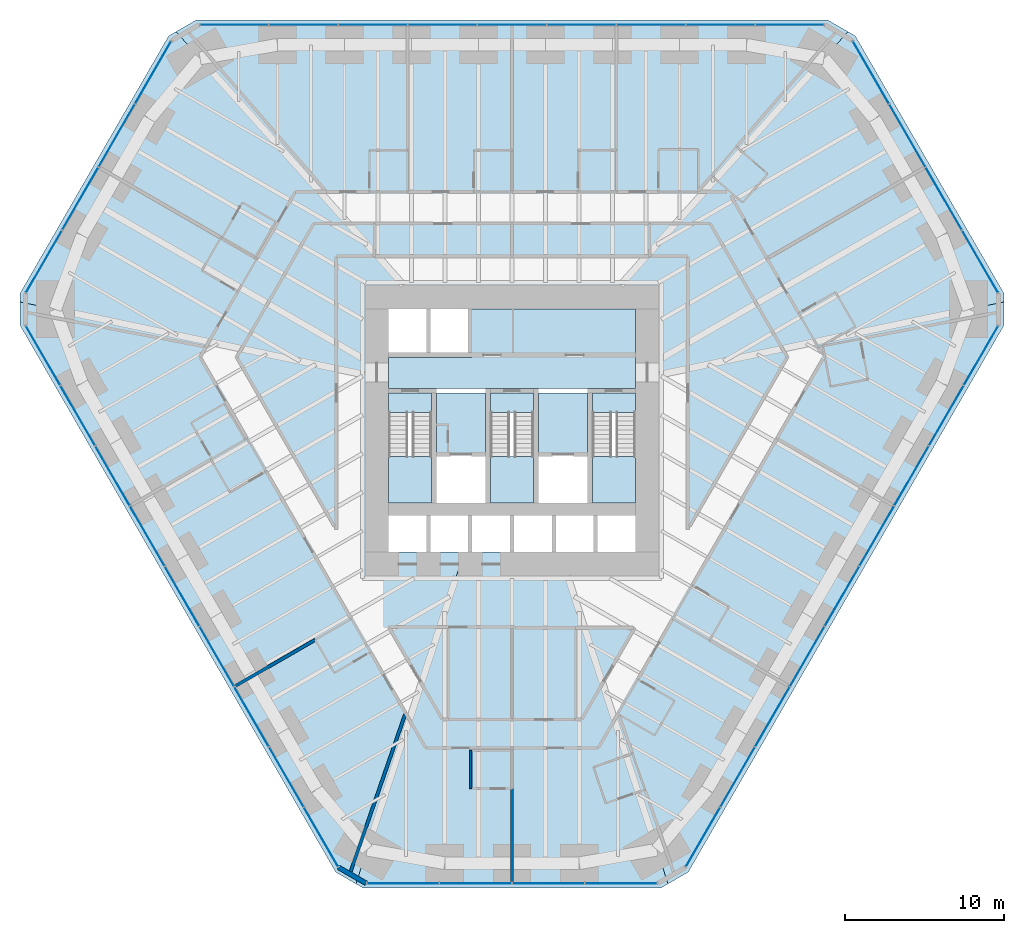
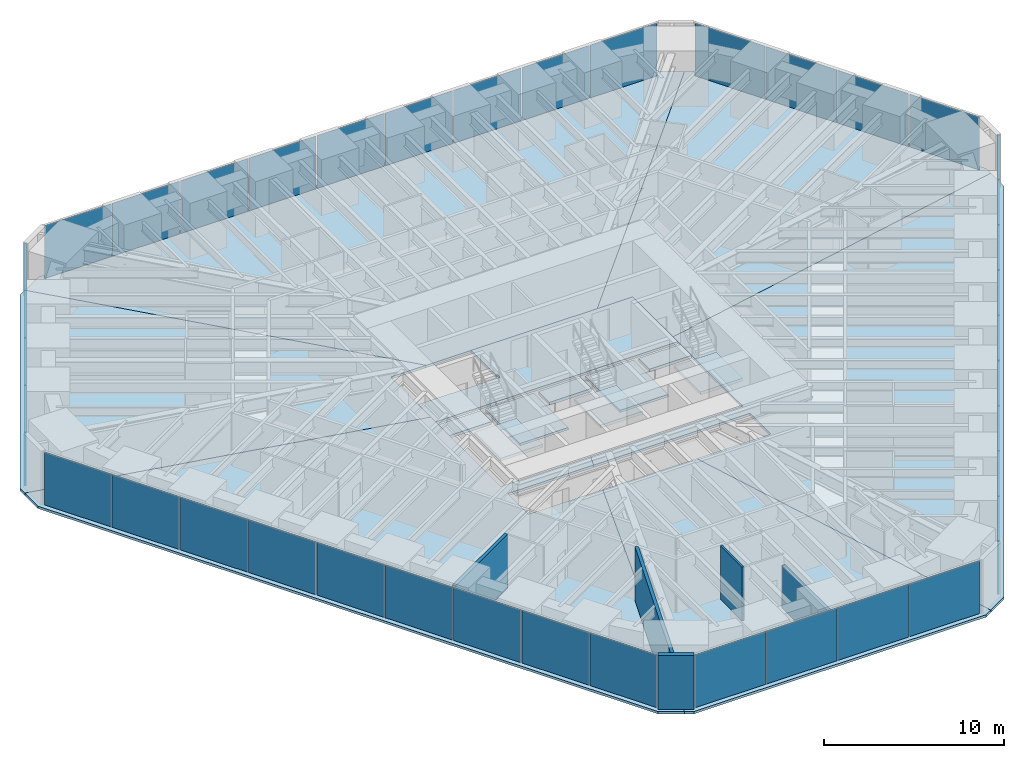
# One storey, part 10 of 17: 39 plates, 15 slabs, 5 walls, 9 elements without a shape of their own.
"""IFC4 building model written with IfcOpenShell, lengths in metres."""

from ifc_helpers import new_model, si_unit, direction, frame, frame_2d, origin, origin_2d, place, context, subcontext, project, spatial, polyline, rectangle, outline, extrude, material, layer, layer_set, type_object, element, aggregate, save


model = new_model("IFC4")

# Units and contexts
model_context = context("Model", 3, precision=1e-05, world=origin(), true_north=direction((0.0, 1.0)))
body_context = subcontext(model_context, "Body", "Model", "MODEL_VIEW")
ifc_project = project(units=[si_unit("LENGTHUNIT", "METRE"), si_unit("AREAUNIT", "SQUARE_METRE"), si_unit("VOLUMEUNIT", "CUBIC_METRE"), si_unit("PLANEANGLEUNIT", "RADIAN"), si_unit("MASSUNIT", "GRAM", prefix="KILO")], contexts=[model_context])

# Site, building, storey
site_placement = place(None, origin())
site = spatial("IfcSite", under=ifc_project, at=site_placement, CompositionType="ELEMENT")
building_placement = place(site_placement, origin())
building = spatial("IfcBuilding", under=site, at=building_placement, Name="Sandreach Pilgrim Tower", CompositionType="ELEMENT")
storey_placement = place(building_placement, frame((0.0, 0.0, 42.0)))
storey = spatial("IfcBuildingStorey", under=building, at=storey_placement, Name="L09", CompositionType="ELEMENT", Elevation=42.0)

# Curtain wall, plates
ifc_material_1 = material(Name="Aluminium framed curtain wall", Category="aluminium")
curtain_wall_type = type_object("IfcCurtainWallType", Name="Hostel tower curtain wall", PredefinedType="NOTDEFINED", material=ifc_material_1)
curtain_wall_1_placement = place(storey_placement, origin())
curtain_wall_1 = element("IfcCurtainWall", 1, at=curtain_wall_1_placement, inside=storey, type_object=curtain_wall_type, Name="CW-1 L09 N", PredefinedType="NOTDEFINED")
ifc_material_2 = material(Name="Insulating glass unit 6 heat-strengthened + 12 argon + 6 heat-strengthened", Category="glass")
ifc_layer_1 = layer(ifc_material_2, 0.02392578125)
ifc_layer_set_1 = layer_set([ifc_layer_1], Name="CW-1 panel")
plate_type = type_object("IfcPlateType", Name="CW-1 panel", PredefinedType="CURTAIN_PANEL", material=ifc_layer_set_1)
plate_1_placement = place(storey_placement, frame((-17.469970703125, 23.94873046875, 0.0), z_axis=(0.0, 0.0, 1.0), x_axis=(1.0, 0.0, 0.0)))
plate_1 = element("IfcPlate", 2, at=plate_1_placement, type_object=plate_type, Name="CW-1 panel 1", PredefinedType="CURTAIN_PANEL", context=body_context, shape_type="SweptSolid", body=[
    extrude(rectangle(XDim=4.274169921875, YDim=0.02392578125, at=origin_2d()), origin(), (0.0, 0.0, 1.0), 3.570068359375),
])
plate_2_placement = place(storey_placement, frame((-13.11474609375, 23.94873046875, 0.0), z_axis=(0.0, 0.0, 1.0), x_axis=(1.0, 0.0, 0.0)))
plate_2 = element("IfcPlate", 3, at=plate_2_placement, type_object=plate_type, Name="CW-1 panel 2", PredefinedType="CURTAIN_PANEL", context=body_context, shape_type="SweptSolid", body=[
    extrude(rectangle(XDim=4.306640625, YDim=0.02392578125, at=origin_2d()), origin(), (0.0, 0.0, 1.0), 3.570068359375),
])
plate_3_placement = place(storey_placement, frame((-8.7431640625, 23.94873046875, 0.0), z_axis=(0.0, 0.0, 1.0), x_axis=(1.0, 0.0, 0.0)))
plate_3 = element("IfcPlate", 4, at=plate_3_placement, type_object=plate_type, Name="CW-1 panel 3", PredefinedType="CURTAIN_PANEL", context=body_context, shape_type="SweptSolid", body=[
    extrude(rectangle(XDim=4.306640625, YDim=0.02392578125, at=origin_2d()), origin(), (0.0, 0.0, 1.0), 3.570068359375),
])
plate_4_placement = place(storey_placement, frame((-4.37158203125, 23.94873046875, 0.0), z_axis=(0.0, 0.0, 1.0), x_axis=(1.0, 0.0, 0.0)))
plate_4 = element("IfcPlate", 5, at=plate_4_placement, type_object=plate_type, Name="CW-1 panel 4", PredefinedType="CURTAIN_PANEL", context=body_context, shape_type="SweptSolid", body=[
    extrude(rectangle(XDim=4.306640625, YDim=0.02392578125, at=origin_2d()), origin(), (0.0, 0.0, 1.0), 3.570068359375),
])
plate_5_placement = place(storey_placement, frame((0.0, 23.94873046875, 0.0), z_axis=(0.0, 0.0, 1.0), x_axis=(1.0, 0.0, 0.0)))
plate_5 = element("IfcPlate", 6, at=plate_5_placement, type_object=plate_type, Name="CW-1 panel 5", PredefinedType="CURTAIN_PANEL", context=body_context, shape_type="SweptSolid", body=[
    extrude(rectangle(XDim=4.306640625, YDim=0.02392578125, at=origin_2d()), origin(), (0.0, 0.0, 1.0), 3.570068359375),
])
plate_6_placement = place(storey_placement, frame((4.37158203125, 23.94873046875, 0.0), z_axis=(0.0, 0.0, 1.0), x_axis=(1.0, 0.0, 0.0)))
plate_6 = element("IfcPlate", 7, at=plate_6_placement, type_object=plate_type, Name="CW-1 panel 6", PredefinedType="CURTAIN_PANEL", context=body_context, shape_type="SweptSolid", body=[
    extrude(rectangle(XDim=4.306640625, YDim=0.02392578125, at=origin_2d()), origin(), (0.0, 0.0, 1.0), 3.570068359375),
])
plate_7_placement = place(storey_placement, frame((8.7431640625, 23.94873046875, 0.0), z_axis=(0.0, 0.0, 1.0), x_axis=(1.0, 0.0, 0.0)))
plate_7 = element("IfcPlate", 8, at=plate_7_placement, type_object=plate_type, Name="CW-1 panel 7", PredefinedType="CURTAIN_PANEL", context=body_context, shape_type="SweptSolid", body=[
    extrude(rectangle(XDim=4.306640625, YDim=0.02392578125, at=origin_2d()), origin(), (0.0, 0.0, 1.0), 3.570068359375),
])
plate_8_placement = place(storey_placement, frame((13.11474609375, 23.94873046875, 0.0), z_axis=(0.0, 0.0, 1.0), x_axis=(1.0, 0.0, 0.0)))
plate_8 = element("IfcPlate", 9, at=plate_8_placement, type_object=plate_type, Name="CW-1 panel 8", PredefinedType="CURTAIN_PANEL", context=body_context, shape_type="SweptSolid", body=[
    extrude(rectangle(XDim=4.306640625, YDim=0.02392578125, at=origin_2d()), origin(), (0.0, 0.0, 1.0), 3.570068359375),
])
plate_9_placement = place(storey_placement, frame((17.469970703125, 23.94873046875, 0.0), z_axis=(0.0, 0.0, 1.0), x_axis=(1.0, 0.0, 0.0)))
plate_9 = element("IfcPlate", 10, at=plate_9_placement, type_object=plate_type, Name="CW-1 panel 9", PredefinedType="CURTAIN_PANEL", context=body_context, shape_type="SweptSolid", body=[
    extrude(rectangle(XDim=4.274169921875, YDim=0.02392578125, at=origin_2d()), origin(), (0.0, 0.0, 1.0), 3.570068359375),
])
aggregate(curtain_wall_1, [plate_1, plate_2, plate_3, plate_4, plate_5, plate_6, plate_7, plate_8, plate_9])

curtain_wall_2_placement = place(storey_placement, origin())
curtain_wall_2 = element("IfcCurtainWall", 11, at=curtain_wall_2_placement, inside=storey, type_object=curtain_wall_type, Name="CW-1 L09 NE", PredefinedType="NOTDEFINED")
plate_10_placement = place(storey_placement, frame((22.558837890625, 20.94873046875, 0.0), z_axis=(0.0, 0.0, 1.0), x_axis=(0.5, -0.866025403784, 0.0)))
plate_10 = element("IfcPlate", 12, at=plate_10_placement, type_object=plate_type, Name="CW-1 panel 1", PredefinedType="CURTAIN_PANEL", context=body_context, shape_type="SweptSolid", body=[
    extrude(rectangle(XDim=4.488525390625, YDim=0.02392578125, at=origin_2d()), origin(), (0.0, 0.0, 1.0), 3.570068359375),
])
plate_11_placement = place(storey_placement, frame((24.84375, 16.9912109375, 0.0), z_axis=(0.0, 0.0, 1.0), x_axis=(0.5, -0.866025403784, 0.0)))
plate_11 = element("IfcPlate", 13, at=plate_11_placement, type_object=plate_type, Name="CW-1 panel 2", PredefinedType="CURTAIN_PANEL", context=body_context, shape_type="SweptSolid", body=[
    extrude(rectangle(XDim=4.52099609375, YDim=0.02392578125, at=origin_2d()), origin(), (0.0, 0.0, 1.0), 3.570068359375),
])
plate_12_placement = place(storey_placement, frame((27.13671875, 13.01953125, 0.0), z_axis=(0.0, 0.0, 1.0), x_axis=(0.5, -0.866025403784, 0.0)))
plate_12 = element("IfcPlate", 14, at=plate_12_placement, type_object=plate_type, Name="CW-1 panel 3", PredefinedType="CURTAIN_PANEL", context=body_context, shape_type="SweptSolid", body=[
    extrude(rectangle(XDim=4.52099609375, YDim=0.02392578125, at=origin_2d()), origin(), (0.0, 0.0, 1.0), 3.570068359375),
])
plate_13_placement = place(storey_placement, frame((29.421630859375, 9.06201171875, 0.0), z_axis=(0.0, 0.0, 1.0), x_axis=(0.5, -0.866025403784, 0.0)))
plate_13 = element("IfcPlate", 15, at=plate_13_placement, type_object=plate_type, Name="CW-1 panel 4", PredefinedType="CURTAIN_PANEL", context=body_context, shape_type="SweptSolid", body=[
    extrude(rectangle(XDim=4.488525390625, YDim=0.02392578125, at=origin_2d()), origin(), (0.0, 0.0, 1.0), 3.570068359375),
])
aggregate(curtain_wall_2, [plate_10, plate_11, plate_12, plate_13])

curtain_wall_3_placement = place(storey_placement, origin())
curtain_wall_3 = element("IfcCurtainWall", 16, at=curtain_wall_3_placement, inside=storey, type_object=curtain_wall_type, Name="CW-1 L09 SE", PredefinedType="NOTDEFINED")
plate_14_placement = place(storey_placement, frame((29.475341796875, 3.1552734375, 0.0), z_axis=(0.0, 0.0, 1.0), x_axis=(-0.5, -0.866025403784, 0.0)))
plate_14 = element("IfcPlate", 17, at=plate_14_placement, type_object=plate_type, Name="CW-1 panel 1", PredefinedType="CURTAIN_PANEL", context=body_context, shape_type="SweptSolid", body=[
    extrude(rectangle(XDim=4.274169921875, YDim=0.02392578125, at=origin_2d()), origin(), (0.0, 0.0, 1.0), 3.570068359375),
])
plate_15_placement = place(storey_placement, frame((27.297607421875, -0.61669921875, 0.0), z_axis=(0.0, 0.0, 1.0), x_axis=(-0.5, -0.866025403784, 0.0)))
plate_15 = element("IfcPlate", 18, at=plate_15_placement, type_object=plate_type, Name="CW-1 panel 2", PredefinedType="CURTAIN_PANEL", context=body_context, shape_type="SweptSolid", body=[
    extrude(rectangle(XDim=4.306640625, YDim=0.02392578125, at=origin_2d()), origin(), (0.0, 0.0, 1.0), 3.570068359375),
])
plate_16_placement = place(storey_placement, frame((25.11181640625, -4.402587890625, 0.0), z_axis=(0.0, 0.0, 1.0), x_axis=(-0.5, -0.866025403784, 0.0)))
plate_16 = element("IfcPlate", 19, at=plate_16_placement, type_object=plate_type, Name="CW-1 panel 3", PredefinedType="CURTAIN_PANEL", context=body_context, shape_type="SweptSolid", body=[
    extrude(rectangle(XDim=4.306640625, YDim=0.02392578125, at=origin_2d()), origin(), (0.0, 0.0, 1.0), 3.570068359375),
])
plate_17_placement = place(storey_placement, frame((22.926025390625, -8.1884765625, 0.0), z_axis=(0.0, 0.0, 1.0), x_axis=(-0.5, -0.866025403784, 0.0)))
plate_17 = element("IfcPlate", 20, at=plate_17_placement, type_object=plate_type, Name="CW-1 panel 4", PredefinedType="CURTAIN_PANEL", context=body_context, shape_type="SweptSolid", body=[
    extrude(rectangle(XDim=4.306640625, YDim=0.02392578125, at=origin_2d()), origin(), (0.0, 0.0, 1.0), 3.570068359375),
])
plate_18_placement = place(storey_placement, frame((20.740234375, -11.974365234375, 0.0), z_axis=(0.0, 0.0, 1.0), x_axis=(-0.5, -0.866025403784, 0.0)))
plate_18 = element("IfcPlate", 21, at=plate_18_placement, type_object=plate_type, Name="CW-1 panel 5", PredefinedType="CURTAIN_PANEL", context=body_context, shape_type="SweptSolid", body=[
    extrude(rectangle(XDim=4.306640625, YDim=0.02392578125, at=origin_2d()), origin(), (0.0, 0.0, 1.0), 3.570068359375),
])
plate_19_placement = place(storey_placement, frame((18.554443359375, -15.76025390625, 0.0), z_axis=(0.0, 0.0, 1.0), x_axis=(-0.5, -0.866025403784, 0.0)))
plate_19 = element("IfcPlate", 22, at=plate_19_placement, type_object=plate_type, Name="CW-1 panel 6", PredefinedType="CURTAIN_PANEL", context=body_context, shape_type="SweptSolid", body=[
    extrude(rectangle(XDim=4.306640625, YDim=0.02392578125, at=origin_2d()), origin(), (0.0, 0.0, 1.0), 3.570068359375),
])
plate_20_placement = place(storey_placement, frame((16.36865234375, -19.546142578125, 0.0), z_axis=(0.0, 0.0, 1.0), x_axis=(-0.5, -0.866025403784, 0.0)))
plate_20 = element("IfcPlate", 23, at=plate_20_placement, type_object=plate_type, Name="CW-1 panel 7", PredefinedType="CURTAIN_PANEL", context=body_context, shape_type="SweptSolid", body=[
    extrude(rectangle(XDim=4.306640625, YDim=0.02392578125, at=origin_2d()), origin(), (0.0, 0.0, 1.0), 3.570068359375),
])
plate_21_placement = place(storey_placement, frame((14.182861328125, -23.33203125, 0.0), z_axis=(0.0, 0.0, 1.0), x_axis=(-0.5, -0.866025403784, 0.0)))
plate_21 = element("IfcPlate", 24, at=plate_21_placement, type_object=plate_type, Name="CW-1 panel 8", PredefinedType="CURTAIN_PANEL", context=body_context, shape_type="SweptSolid", body=[
    extrude(rectangle(XDim=4.306640625, YDim=0.02392578125, at=origin_2d()), origin(), (0.0, 0.0, 1.0), 3.570068359375),
])
plate_22_placement = place(storey_placement, frame((12.005126953125, -27.103759765625, 0.0), z_axis=(0.0, 0.0, 1.0), x_axis=(-0.5, -0.866025403784, 0.0)))
plate_22 = element("IfcPlate", 25, at=plate_22_placement, type_object=plate_type, Name="CW-1 panel 9", PredefinedType="CURTAIN_PANEL", context=body_context, shape_type="SweptSolid", body=[
    extrude(rectangle(XDim=4.274169921875, YDim=0.02392578125, at=origin_2d()), origin(), (0.0, 0.0, 1.0), 3.570068359375),
])
aggregate(curtain_wall_3, [plate_14, plate_15, plate_16, plate_17, plate_18, plate_19, plate_20, plate_21, plate_22])

curtain_wall_4_placement = place(storey_placement, origin())
curtain_wall_4 = element("IfcCurtainWall", 26, at=curtain_wall_4_placement, inside=storey, type_object=curtain_wall_type, Name="CW-1 L09 S", PredefinedType="NOTDEFINED")
plate_23_placement = place(storey_placement, frame((6.86279296875, -30.010986328125, 0.0), z_axis=(0.0, 0.0, 1.0), x_axis=(-1.0, 0.0, 0.0)))
plate_23 = element("IfcPlate", 27, at=plate_23_placement, type_object=plate_type, Name="CW-1 panel 1", PredefinedType="CURTAIN_PANEL", context=body_context, shape_type="SweptSolid", body=[
    extrude(rectangle(XDim=4.488525390625, YDim=0.02392578125, at=origin_2d()), origin(), (0.0, 0.0, 1.0), 3.570068359375),
])
plate_24_placement = place(storey_placement, frame((2.29296875, -30.010986328125, 0.0), z_axis=(0.0, 0.0, 1.0), x_axis=(-1.0, 0.0, 0.0)))
plate_24 = element("IfcPlate", 28, at=plate_24_placement, type_object=plate_type, Name="CW-1 panel 2", PredefinedType="CURTAIN_PANEL", context=body_context, shape_type="SweptSolid", body=[
    extrude(rectangle(XDim=4.52099609375, YDim=0.02392578125, at=origin_2d()), origin(), (0.0, 0.0, 1.0), 3.570068359375),
])
plate_25_placement = place(storey_placement, frame((-2.29296875, -30.010986328125, 0.0), z_axis=(0.0, 0.0, 1.0), x_axis=(-1.0, 0.0, 0.0)))
plate_25 = element("IfcPlate", 29, at=plate_25_placement, type_object=plate_type, Name="CW-1 panel 3", PredefinedType="CURTAIN_PANEL", context=body_context, shape_type="SweptSolid", body=[
    extrude(rectangle(XDim=4.52099609375, YDim=0.02392578125, at=origin_2d()), origin(), (0.0, 0.0, 1.0), 3.570068359375),
])
plate_26_placement = place(storey_placement, frame((-6.86279296875, -30.010986328125, 0.0), z_axis=(0.0, 0.0, 1.0), x_axis=(-1.0, 0.0, 0.0)))
plate_26 = element("IfcPlate", 30, at=plate_26_placement, type_object=plate_type, Name="CW-1 panel 4", PredefinedType="CURTAIN_PANEL", context=body_context, shape_type="SweptSolid", body=[
    extrude(rectangle(XDim=4.488525390625, YDim=0.02392578125, at=origin_2d()), origin(), (0.0, 0.0, 1.0), 3.570068359375),
])
aggregate(curtain_wall_4, [plate_23, plate_24, plate_25, plate_26])

curtain_wall_5_placement = place(storey_placement, origin())
curtain_wall_5 = element("IfcCurtainWall", 31, at=curtain_wall_5_placement, inside=storey, type_object=curtain_wall_type, Name="CW-1 L09 SW", PredefinedType="NOTDEFINED")
plate_27_placement = place(storey_placement, frame((-12.005126953125, -27.103759765625, 0.0), z_axis=(0.0, 0.0, 1.0), x_axis=(-0.5, 0.866025403784, 0.0)))
plate_27 = element("IfcPlate", 32, at=plate_27_placement, type_object=plate_type, Name="CW-1 panel 1", PredefinedType="CURTAIN_PANEL", context=body_context, shape_type="SweptSolid", body=[
    extrude(rectangle(XDim=4.274169921875, YDim=0.02392578125, at=origin_2d()), origin(), (0.0, 0.0, 1.0), 3.570068359375),
])
plate_28_placement = place(storey_placement, frame((-14.182861328125, -23.33203125, 0.0), z_axis=(0.0, 0.0, 1.0), x_axis=(-0.5, 0.866025403784, 0.0)))
plate_28 = element("IfcPlate", 33, at=plate_28_placement, type_object=plate_type, Name="CW-1 panel 2", PredefinedType="CURTAIN_PANEL", context=body_context, shape_type="SweptSolid", body=[
    extrude(rectangle(XDim=4.306640625, YDim=0.02392578125, at=origin_2d()), origin(), (0.0, 0.0, 1.0), 3.570068359375),
])
plate_29_placement = place(storey_placement, frame((-16.36865234375, -19.546142578125, 0.0), z_axis=(0.0, 0.0, 1.0), x_axis=(-0.5, 0.866025403784, 0.0)))
plate_29 = element("IfcPlate", 34, at=plate_29_placement, type_object=plate_type, Name="CW-1 panel 3", PredefinedType="CURTAIN_PANEL", context=body_context, shape_type="SweptSolid", body=[
    extrude(rectangle(XDim=4.306640625, YDim=0.02392578125, at=origin_2d()), origin(), (0.0, 0.0, 1.0), 3.570068359375),
])
plate_30_placement = place(storey_placement, frame((-18.554443359375, -15.76025390625, 0.0), z_axis=(0.0, 0.0, 1.0), x_axis=(-0.5, 0.866025403784, 0.0)))
plate_30 = element("IfcPlate", 35, at=plate_30_placement, type_object=plate_type, Name="CW-1 panel 4", PredefinedType="CURTAIN_PANEL", context=body_context, shape_type="SweptSolid", body=[
    extrude(rectangle(XDim=4.306640625, YDim=0.02392578125, at=origin_2d()), origin(), (0.0, 0.0, 1.0), 3.570068359375),
])
plate_31_placement = place(storey_placement, frame((-20.740234375, -11.974365234375, 0.0), z_axis=(0.0, 0.0, 1.0), x_axis=(-0.5, 0.866025403784, 0.0)))
plate_31 = element("IfcPlate", 36, at=plate_31_placement, type_object=plate_type, Name="CW-1 panel 5", PredefinedType="CURTAIN_PANEL", context=body_context, shape_type="SweptSolid", body=[
    extrude(rectangle(XDim=4.306640625, YDim=0.02392578125, at=origin_2d()), origin(), (0.0, 0.0, 1.0), 3.570068359375),
])
plate_32_placement = place(storey_placement, frame((-22.926025390625, -8.1884765625, 0.0), z_axis=(0.0, 0.0, 1.0), x_axis=(-0.5, 0.866025403784, 0.0)))
plate_32 = element("IfcPlate", 37, at=plate_32_placement, type_object=plate_type, Name="CW-1 panel 6", PredefinedType="CURTAIN_PANEL", context=body_context, shape_type="SweptSolid", body=[
    extrude(rectangle(XDim=4.306640625, YDim=0.02392578125, at=origin_2d()), origin(), (0.0, 0.0, 1.0), 3.570068359375),
])
plate_33_placement = place(storey_placement, frame((-25.11181640625, -4.402587890625, 0.0), z_axis=(0.0, 0.0, 1.0), x_axis=(-0.5, 0.866025403784, 0.0)))
plate_33 = element("IfcPlate", 38, at=plate_33_placement, type_object=plate_type, Name="CW-1 panel 7", PredefinedType="CURTAIN_PANEL", context=body_context, shape_type="SweptSolid", body=[
    extrude(rectangle(XDim=4.306640625, YDim=0.02392578125, at=origin_2d()), origin(), (0.0, 0.0, 1.0), 3.570068359375),
])
plate_34_placement = place(storey_placement, frame((-27.297607421875, -0.61669921875, 0.0), z_axis=(0.0, 0.0, 1.0), x_axis=(-0.5, 0.866025403784, 0.0)))
plate_34 = element("IfcPlate", 39, at=plate_34_placement, type_object=plate_type, Name="CW-1 panel 8", PredefinedType="CURTAIN_PANEL", context=body_context, shape_type="SweptSolid", body=[
    extrude(rectangle(XDim=4.306640625, YDim=0.02392578125, at=origin_2d()), origin(), (0.0, 0.0, 1.0), 3.570068359375),
])
plate_35_placement = place(storey_placement, frame((-29.475341796875, 3.1552734375, 0.0), z_axis=(0.0, 0.0, 1.0), x_axis=(-0.5, 0.866025403784, 0.0)))
plate_35 = element("IfcPlate", 40, at=plate_35_placement, type_object=plate_type, Name="CW-1 panel 9", PredefinedType="CURTAIN_PANEL", context=body_context, shape_type="SweptSolid", body=[
    extrude(rectangle(XDim=4.274169921875, YDim=0.02392578125, at=origin_2d()), origin(), (0.0, 0.0, 1.0), 3.570068359375),
])
aggregate(curtain_wall_5, [plate_27, plate_28, plate_29, plate_30, plate_31, plate_32, plate_33, plate_34, plate_35])

curtain_wall_6_placement = place(storey_placement, origin())
curtain_wall_6 = element("IfcCurtainWall", 41, at=curtain_wall_6_placement, inside=storey, type_object=curtain_wall_type, Name="CW-1 L09 NW", PredefinedType="NOTDEFINED")
plate_36_placement = place(storey_placement, frame((-29.421630859375, 9.06201171875, 0.0), z_axis=(0.0, 0.0, 1.0), x_axis=(0.5, 0.866025403784, 0.0)))
plate_36 = element("IfcPlate", 42, at=plate_36_placement, type_object=plate_type, Name="CW-1 panel 1", PredefinedType="CURTAIN_PANEL", context=body_context, shape_type="SweptSolid", body=[
    extrude(rectangle(XDim=4.488525390625, YDim=0.02392578125, at=origin_2d()), origin(), (0.0, 0.0, 1.0), 3.570068359375),
])
plate_37_placement = place(storey_placement, frame((-27.13671875, 13.01953125, 0.0), z_axis=(0.0, 0.0, 1.0), x_axis=(0.5, 0.866025403784, 0.0)))
plate_37 = element("IfcPlate", 43, at=plate_37_placement, type_object=plate_type, Name="CW-1 panel 2", PredefinedType="CURTAIN_PANEL", context=body_context, shape_type="SweptSolid", body=[
    extrude(rectangle(XDim=4.52099609375, YDim=0.02392578125, at=origin_2d()), origin(), (0.0, 0.0, 1.0), 3.570068359375),
])
plate_38_placement = place(storey_placement, frame((-24.84375, 16.9912109375, 0.0), z_axis=(0.0, 0.0, 1.0), x_axis=(0.5, 0.866025403784, 0.0)))
plate_38 = element("IfcPlate", 44, at=plate_38_placement, type_object=plate_type, Name="CW-1 panel 3", PredefinedType="CURTAIN_PANEL", context=body_context, shape_type="SweptSolid", body=[
    extrude(rectangle(XDim=4.52099609375, YDim=0.02392578125, at=origin_2d()), origin(), (0.0, 0.0, 1.0), 3.570068359375),
])
plate_39_placement = place(storey_placement, frame((-22.558837890625, 20.94873046875, 0.0), z_axis=(0.0, 0.0, 1.0), x_axis=(0.5, 0.866025403784, 0.0)))
plate_39 = element("IfcPlate", 45, at=plate_39_placement, type_object=plate_type, Name="CW-1 panel 4", PredefinedType="CURTAIN_PANEL", context=body_context, shape_type="SweptSolid", body=[
    extrude(rectangle(XDim=4.488525390625, YDim=0.02392578125, at=origin_2d()), origin(), (0.0, 0.0, 1.0), 3.570068359375),
])
aggregate(curtain_wall_6, [plate_36, plate_37, plate_38, plate_39])

# Slabs
ifc_material_3 = material(Name="Concrete 8000 psi", Category="concrete")
ifc_layer_2 = layer(ifc_material_3, 0.159912109375)
ifc_layer_set_2 = layer_set([ifc_layer_2], Name="Composite floor slab 160")
slab_type_1 = type_object("IfcSlabType", Name="Composite floor slab 160", PredefinedType="FLOOR", material=ifc_layer_set_2)
slab_1_placement = place(storey_placement, frame((0.0, 0.0, -0.159912109375)))
element("IfcSlab", 46, at=slab_1_placement, inside=storey, type_object=slab_type_1, Name="Floor slab L09 N sector", PredefinedType="FLOOR", context=body_context, shape_type="SweptSolid", body=[
    extrude(outline(polyline([(-19.84521484375, 24.248779296875), (19.84521484375, 24.248779296875), (21.115478515625, 23.515380859375), (5.477294921875, 6.10009765625), (-5.477294921875, 6.10009765625), (-21.115478515625, 23.515380859375), (-19.84521484375, 24.248779296875)])), origin(), (0.0, 0.0, 1.0), 0.159912109375),
])
slab_2_placement = place(storey_placement, frame((0.0, 0.0, -0.159912109375)))
element("IfcSlab", 47, at=slab_2_placement, inside=storey, type_object=slab_type_1, Name="Floor slab L09 NE sector", PredefinedType="FLOOR", context=body_context, shape_type="SweptSolid", body=[
    extrude(outline(polyline([(21.577392578125, 23.248779296875), (30.922607421875, 7.062255859375), (30.922607421875, 6.52880859375), (7.75, 1.63623046875), (7.75, 6.10009765625), (5.477294921875, 6.10009765625), (21.115478515625, 23.515380859375), (21.577392578125, 23.248779296875)])), origin(), (0.0, 0.0, 1.0), 0.159912109375),
])
slab_3_placement = place(storey_placement, frame((0.0, 0.0, -0.159912109375)))
element("IfcSlab", 48, at=slab_3_placement, inside=storey, type_object=slab_type_1, Name="Floor slab L09 SE sector", PredefinedType="FLOOR", context=body_context, shape_type="SweptSolid", body=[
    extrude(outline(polyline([(11.077392578125, -29.310791015625), (9.80712890625, -30.044189453125), (3.003173828125, -9.199951171875), (7.75, -9.199951171875), (7.75, -6.89990234375), (-2.252197265625, -6.89990234375), (-1.9912109375, -6.10009765625), (7.75, -6.10009765625), (7.75, 1.63623046875), (30.922607421875, 6.52880859375), (30.922607421875, 5.062255859375), (11.077392578125, -29.310791015625)])), origin(), (0.0, 0.0, 1.0), 0.159912109375),
])
slab_4_placement = place(storey_placement, frame((0.0, 0.0, -0.159912109375)))
element("IfcSlab", 49, at=slab_4_placement, inside=storey, type_object=slab_type_1, Name="Floor slab L09 S sector", PredefinedType="FLOOR", context=body_context, shape_type="SweptSolid", body=[
    extrude(outline(polyline([(9.34521484375, -30.310791015625), (-9.34521484375, -30.310791015625), (-9.80712890625, -30.044189453125), (-3.003173828125, -9.199951171875), (3.003173828125, -9.199951171875), (9.80712890625, -30.044189453125), (9.34521484375, -30.310791015625)])), origin(), (0.0, 0.0, 1.0), 0.159912109375),
])
slab_5_placement = place(storey_placement, frame((0.0, 0.0, -0.159912109375)))
element("IfcSlab", 50, at=slab_5_placement, inside=storey, type_object=slab_type_1, Name="Floor slab L09 SW sector", PredefinedType="FLOOR", context=body_context, shape_type="SweptSolid", body=[
    extrude(outline(polyline([(-11.077392578125, -29.310791015625), (-30.922607421875, 5.062255859375), (-30.922607421875, 6.52880859375), (-7.75, 1.63623046875), (-7.75, -6.10009765625), (-1.9912109375, -6.10009765625), (-2.252197265625, -6.89990234375), (-7.75, -6.89990234375), (-7.75, -9.199951171875), (-3.003173828125, -9.199951171875), (-9.80712890625, -30.044189453125), (-11.077392578125, -29.310791015625)])), origin(), (0.0, 0.0, 1.0), 0.159912109375),
])
slab_6_placement = place(storey_placement, frame((0.0, 0.0, -0.159912109375)))
element("IfcSlab", 51, at=slab_6_placement, inside=storey, type_object=slab_type_1, Name="Floor slab L09 NW sector", PredefinedType="FLOOR", context=body_context, shape_type="SweptSolid", body=[
    extrude(outline(polyline([(-30.922607421875, 7.062255859375), (-21.577392578125, 23.248779296875), (-21.115478515625, 23.515380859375), (-5.477294921875, 6.10009765625), (-7.75, 6.10009765625), (-7.75, 1.63623046875), (-30.922607421875, 6.52880859375), (-30.922607421875, 7.062255859375)])), origin(), (0.0, 0.0, 1.0), 0.159912109375),
])
slab_7_placement = place(storey_placement, frame((0.0, 0.0, -0.159912109375)))
element("IfcSlab", 52, at=slab_7_placement, inside=storey, type_object=slab_type_1, Name="Core floor slab and stores L09", PredefinedType="FLOOR", context=body_context, shape_type="SweptSolid", body=[
    extrude(outline(polyline([(-7.75, 3.050048828125), (-5.375, 3.050048828125), (-5.125, 3.050048828125), (-2.5, 3.050048828125), (-2.5, 3.35009765625), (-2.60009765625, 3.35009765625), (-2.60009765625, 6.10009765625), (7.75, 6.10009765625), (7.75, 1.10009765625), (5.050048828125, 1.10009765625), (4.75, 1.10009765625), (1.64990234375, 1.10009765625), (1.35009765625, 1.10009765625), (-1.35009765625, 1.10009765625), (-1.64990234375, 1.10009765625), (-4.75, 1.10009765625), (-5.050048828125, 1.10009765625), (-7.75, 1.10009765625), (-7.75, 3.050048828125)])), origin(), (0.0, 0.0, 1.0), 0.159912109375),
])
slab_8_placement = place(storey_placement, frame((0.0, 0.0, -0.159912109375)))
element("IfcSlab", 53, at=slab_8_placement, inside=storey, type_object=slab_type_1, Name="Core floor slab and stores L09 2", PredefinedType="FLOOR", context=body_context, shape_type="SweptSolid", body=[
    extrude(outline(polyline([(-1.64990234375, -3.050048828125), (-4.75, -3.050048828125), (-4.75, 0.800048828125), (-1.64990234375, 0.800048828125), (-1.64990234375, -3.050048828125)])), origin(), (0.0, 0.0, 1.0), 0.159912109375),
])
slab_9_placement = place(storey_placement, frame((0.0, 0.0, -0.159912109375)))
element("IfcSlab", 54, at=slab_9_placement, inside=storey, type_object=slab_type_1, Name="Core floor slab and stores L09 3", PredefinedType="FLOOR", context=body_context, shape_type="SweptSolid", body=[
    extrude(outline(polyline([(4.75, -3.050048828125), (1.64990234375, -3.050048828125), (1.64990234375, 0.800048828125), (4.75, 0.800048828125), (4.75, -3.050048828125)])), origin(), (0.0, 0.0, 1.0), 0.159912109375),
])

# Stair, slabs
ifc_material_4 = material(Name="Concrete 8000 psi", Category="concrete")
stair_type = type_object("IfcStairType", Name="Core exit stair", PredefinedType="HALF_TURN_STAIR", material=ifc_material_4)
stair_1_placement = place(storey_placement, origin())
stair_1 = element("IfcStair", 55, at=stair_1_placement, inside=storey, type_object=stair_type, Name="Exit stair ST1 L09", PredefinedType="HALF_TURN_STAIR")
ifc_material_5 = material(Name="Concrete 8000 psi", Category="concrete")
ifc_layer_3 = layer(ifc_material_5, 0.199951171875)
ifc_layer_set_3 = layer_set([ifc_layer_3], Name="Core stair landing 200")
slab_type_2 = type_object("IfcSlabType", Name="Core stair landing 200", PredefinedType="LANDING", material=ifc_layer_set_3)
slab_10_placement = place(storey_placement, frame((0.0, 0.0, -0.199951171875)))
slab_10 = element("IfcSlab", 56, at=slab_10_placement, type_object=slab_type_2, Name="ST1 landing 1", PredefinedType="LANDING", context=body_context, shape_type="SweptSolid", body=[
    extrude(outline(polyline([(-7.75, -0.425048828125), (-5.050048828125, -0.425048828125), (-5.050048828125, 0.800048828125), (-7.75, 0.800048828125), (-7.75, -0.425048828125)])), origin(), (0.0, 0.0, 1.0), 0.199951171875),
])
slab_11_placement = place(storey_placement, frame((0.0, 0.0, 1.699951171875)))
slab_11 = element("IfcSlab", 57, at=slab_11_placement, type_object=slab_type_2, Name="ST1 landing 2", PredefinedType="LANDING", context=body_context, shape_type="SweptSolid", body=[
    extrude(outline(polyline([(-7.75, -6.10009765625), (-5.050048828125, -6.10009765625), (-5.050048828125, -3.175048828125), (-7.75, -3.175048828125), (-7.75, -6.10009765625)])), origin(), (0.0, 0.0, 1.0), 0.199951171875),
])
aggregate(stair_1, [slab_10, slab_11])

stair_2_placement = place(storey_placement, origin())
stair_2 = element("IfcStair", 58, at=stair_2_placement, inside=storey, type_object=stair_type, Name="Exit stair ST3 L09", PredefinedType="HALF_TURN_STAIR")
slab_12_placement = place(storey_placement, frame((0.0, 0.0, -0.199951171875)))
slab_12 = element("IfcSlab", 59, at=slab_12_placement, type_object=slab_type_2, Name="ST3 landing 1", PredefinedType="LANDING", context=body_context, shape_type="SweptSolid", body=[
    extrude(outline(polyline([(-1.35009765625, -0.425048828125), (1.35009765625, -0.425048828125), (1.35009765625, 0.800048828125), (-1.35009765625, 0.800048828125), (-1.35009765625, -0.425048828125)])), origin(), (0.0, 0.0, 1.0), 0.199951171875),
])
slab_13_placement = place(storey_placement, frame((0.0, 0.0, 1.699951171875)))
slab_13 = element("IfcSlab", 60, at=slab_13_placement, type_object=slab_type_2, Name="ST3 landing 2", PredefinedType="LANDING", context=body_context, shape_type="SweptSolid", body=[
    extrude(outline(polyline([(-1.35009765625, -6.10009765625), (1.35009765625, -6.10009765625), (1.35009765625, -3.175048828125), (-1.35009765625, -3.175048828125), (-1.35009765625, -6.10009765625)])), origin(), (0.0, 0.0, 1.0), 0.199951171875),
])
aggregate(stair_2, [slab_12, slab_13])

stair_3_placement = place(storey_placement, origin())
stair_3 = element("IfcStair", 61, at=stair_3_placement, inside=storey, type_object=stair_type, Name="Exit stair ST2 L09", PredefinedType="HALF_TURN_STAIR")
slab_14_placement = place(storey_placement, frame((0.0, 0.0, -0.199951171875)))
slab_14 = element("IfcSlab", 62, at=slab_14_placement, type_object=slab_type_2, Name="ST2 landing 1", PredefinedType="LANDING", context=body_context, shape_type="SweptSolid", body=[
    extrude(outline(polyline([(5.050048828125, -0.425048828125), (7.75, -0.425048828125), (7.75, 0.800048828125), (5.050048828125, 0.800048828125), (5.050048828125, -0.425048828125)])), origin(), (0.0, 0.0, 1.0), 0.199951171875),
])
slab_15_placement = place(storey_placement, frame((0.0, 0.0, 1.699951171875)))
slab_15 = element("IfcSlab", 63, at=slab_15_placement, type_object=slab_type_2, Name="ST2 landing 2", PredefinedType="LANDING", context=body_context, shape_type="SweptSolid", body=[
    extrude(outline(polyline([(5.050048828125, -6.10009765625), (7.75, -6.10009765625), (7.75, -3.175048828125), (5.050048828125, -3.175048828125), (5.050048828125, -6.10009765625)])), origin(), (0.0, 0.0, 1.0), 0.199951171875),
])
aggregate(stair_3, [slab_14, slab_15])

# Walls
ifc_material_6 = material(Name="Moisture-resistant gypsum board on steel studs", Category="steel")
ifc_layer_4 = layer(ifc_material_6, 0.1201171875)
ifc_layer_set_4 = layer_set([ifc_layer_4], Name="Bathroom partition 120")
wall_type_1 = type_object("IfcWallType", Name="Bathroom partition 120", PredefinedType="PARTITIONING", material=ifc_layer_set_4)
wall_1_placement = place(storey_placement, frame((-2.60009765625, -21.659912109375, 0.0), z_axis=(0.0, 0.0, 1.0), x_axis=(0.0, -1.0, 0.0)))
element("IfcWall", 64, at=wall_1_placement, inside=storey, type_object=wall_type_1, Name="Bathroom partition L09-053", PredefinedType="PARTITIONING", context=body_context, shape_type="SweptSolid", body=[
    extrude(rectangle(XDim=2.400146484375, YDim=0.1201171875, at=frame_2d((1.2001953125, 0.0))), origin(), (0.0, 0.0, 1.0), 3.639892578125),
])
ifc_material_7 = material(Name="Double steel stud acoustic wall, gypsum board", Category="steel")
ifc_layer_5 = layer(ifc_material_7, 0.199951171875)
ifc_layer_set_5 = layer_set([ifc_layer_5], Name="Party wall 200")
wall_type_2 = type_object("IfcWallType", Name="Party wall 200", PredefinedType="PARTITIONING", material=ifc_layer_set_5)
wall_2_placement = place(storey_placement, frame((-17.356201171875, -17.590087890625, 0.0), z_axis=(0.0, 0.0, 1.0), x_axis=(0.865929957466, 0.500165281445, 0.0)))
element("IfcWall", 65, at=wall_2_placement, inside=storey, type_object=wall_type_2, Name="Party wall L09-015", PredefinedType="PARTITIONING", context=body_context, shape_type="SweptSolid", body=[
    extrude(rectangle(XDim=5.75830078125, YDim=0.199951171875, at=frame_2d((2.879150390625, 0.0))), origin(), (0.0, 0.0, 1.0), 3.639892578125),
])
wall_3_placement = place(storey_placement, frame((-10.2001953125, -29.441650390625, 0.0), z_axis=(0.0, 0.0, 1.0), x_axis=(0.327375786306, 0.944894223996, 0.0)))
element("IfcWall", 66, at=wall_3_placement, inside=storey, type_object=wall_type_2, Name="Party wall L09-035", PredefinedType="PARTITIONING", context=body_context, shape_type="SweptSolid", body=[
    extrude(rectangle(XDim=10.62255859375, YDim=0.199951171875, at=frame_2d((5.311279296875, 0.0))), origin(), (0.0, 0.0, 1.0), 3.639892578125),
])
wall_4_placement = place(storey_placement, frame((0.0, -29.889892578125, 0.0), z_axis=(0.0, 0.0, 1.0), x_axis=(0.0, 1.0, 0.0)))
element("IfcWall", 67, at=wall_4_placement, inside=storey, type_object=wall_type_2, Name="Party wall L09-056", PredefinedType="PARTITIONING", context=body_context, shape_type="SweptSolid", body=[
    extrude(rectangle(XDim=5.829833984375, YDim=0.199951171875, at=frame_2d((2.9150390625, 0.0))), origin(), (0.0, 0.0, 1.0), 2.860107421875),
])
ifc_material_8 = material(Name="Terracotta rainscreen on concrete", Category="masonry")
ifc_layer_6 = layer(ifc_material_8, 0.300048828125)
ifc_layer_set_6 = layer_set([ifc_layer_6], Name="Terracotta chamfer pier")
wall_type_3 = type_object("IfcWallType", Name="Terracotta chamfer pier", PredefinedType="SOLIDWALL", material=ifc_layer_set_6)
wall_5_placement = place(storey_placement, frame((-9.172119140625, -30.010986328125, 0.0), z_axis=(0.0, 0.0, 1.0), x_axis=(-0.866010750942, 0.50002537861, 0.0)))
element("IfcWall", 68, at=wall_5_placement, inside=storey, type_object=wall_type_3, Name="Chamfer pier L09 S", PredefinedType="SOLIDWALL", context=body_context, shape_type="SweptSolid", body=[
    extrude(rectangle(XDim=2.0, YDim=0.300048828125, at=frame_2d((1.0, 0.0))), origin(), (0.0, 0.0, 1.0), 3.639892578125),
])

save(model, "model.ifc")
